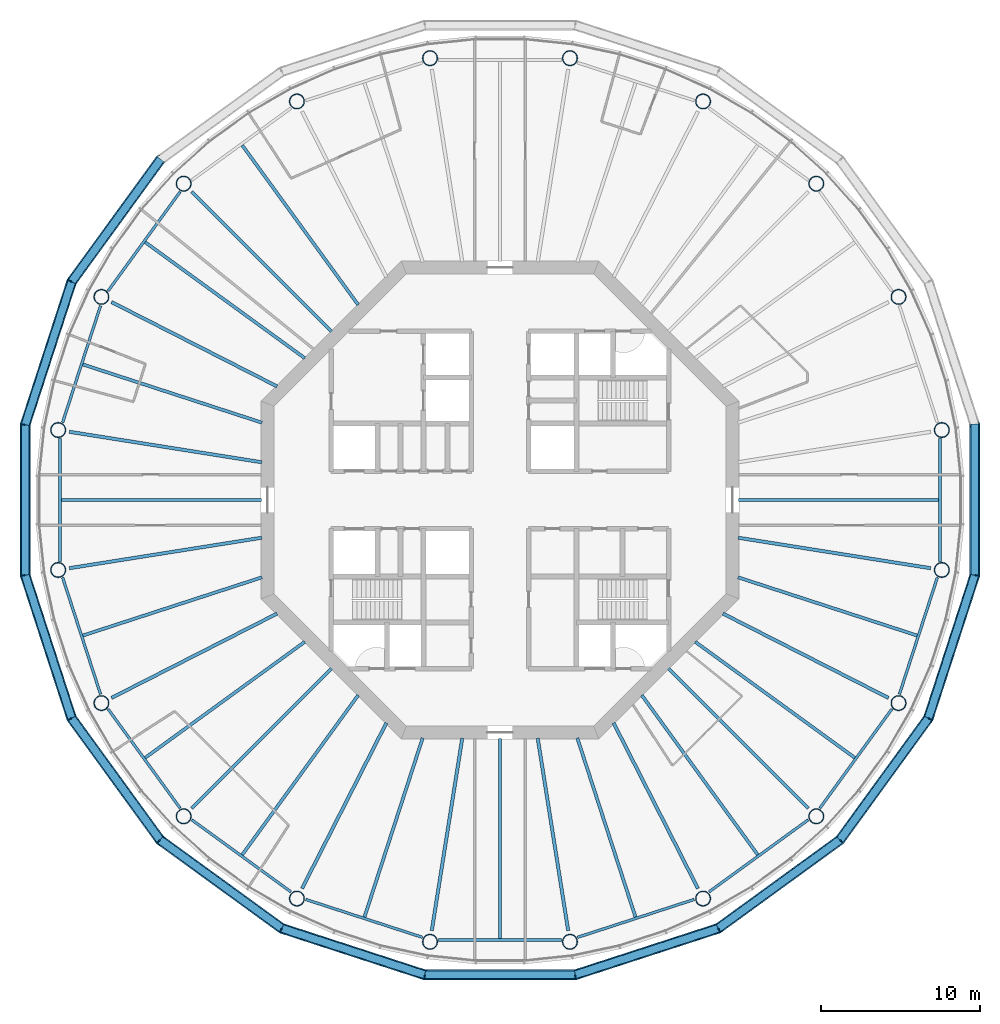
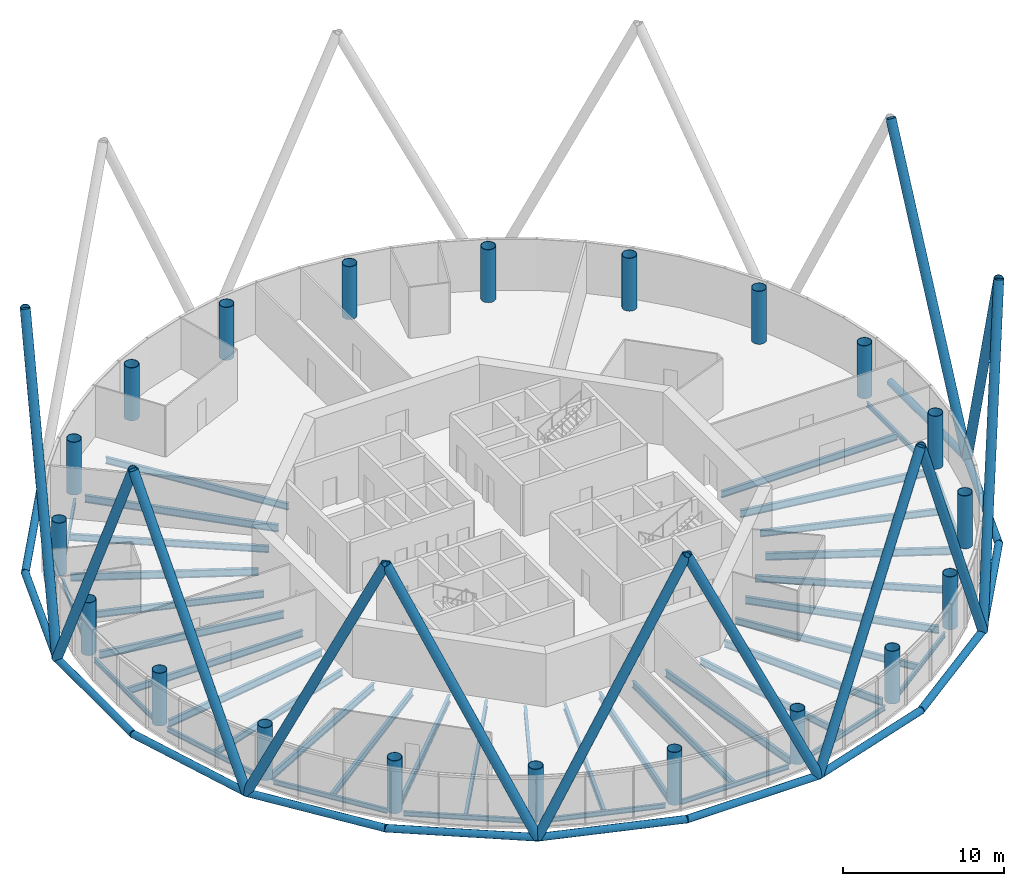
# One storey, part 1 of 13: 40 beams, 26 members, 20 columns.
"""IFC4 building model written with IfcOpenShell, lengths in metres."""

from ifc_helpers import new_model, si_unit, direction, frame, origin, origin_2d, place, context, subcontext, project, spatial, circle, hollow_circle, i_section, extrude, material, material_profile, profile_set, type_object, element, save


model = new_model("IFC4")

# Units and contexts
model_context = context("Model", 3, precision=1e-05, world=origin(), true_north=direction((0.0, 1.0)))
body_context = subcontext(model_context, "Body", "Model", "MODEL_VIEW")
ifc_project = project(units=[si_unit("LENGTHUNIT", "METRE"), si_unit("AREAUNIT", "SQUARE_METRE"), si_unit("VOLUMEUNIT", "CUBIC_METRE"), si_unit("PLANEANGLEUNIT", "RADIAN"), si_unit("MASSUNIT", "GRAM", prefix="KILO")], contexts=[model_context])

# Site, building, storey
site_placement = place(None, origin())
site = spatial("IfcSite", under=ifc_project, at=site_placement, CompositionType="ELEMENT")
building_placement = place(site_placement, origin())
building = spatial("IfcBuilding", under=site, at=building_placement, Name="Entoto Ring Tower", CompositionType="ELEMENT")
storey_placement = place(building_placement, frame((0.0, 0.0, 274.0)))
storey = spatial("IfcBuildingStorey", under=building, at=storey_placement, Name="L62", CompositionType="ELEMENT", Elevation=274.0)

# Columns
ifc_material_1 = material(Name="Steel S355", Category="steel")
ifc_material_profile_1 = material_profile(ifc_material_1, hollow_circle(Radius=0.47509765625, WallThickness=0.034912109375, at=origin_2d()), Name="CHS 950 x 35")
ifc_material_2 = material(Name="Concrete C60/75", Category="concrete")
ifc_material_profile_2 = material_profile(ifc_material_2, circle(Radius=0.43994140625, at=origin_2d()), Name="Concrete C60/75 infill")
ifc_profile_set_1 = profile_set([ifc_material_profile_1, ifc_material_profile_2], Name="Steel S355")
column_type = type_object("IfcColumnType", Name="Ring column 950 x 35 concrete-filled tube", PredefinedType="COLUMN", material=ifc_profile_set_1)
for number, where, z_axis, x_axis, name in (
    (1, (117.754150390625, 84.395751953125, 0.0), (0.0, 0.0, 1.0), (1.0, 0.0, 0.0), "RC5 R01"),
    (2, (115.037353515625, 92.757080078125, 0.0), (0.0, 0.0, 1.0), (1.0, 0.0, 0.0), "RC5 R02"),
    (3, (109.86962890625, 99.86962890625, 0.0), (0.0, 0.0, 1.0), (1.0, 0.0, 0.0), "RC5 R03"),
    (4, (102.757080078125, 105.037353515625, 0.0), (0.0, 0.0, 1.0), (1.0, 0.0, 0.0), "RC5 R04"),
    (5, (94.395751953125, 107.754150390625, 0.0), (0.0, 0.0, 1.0), (1.0, 0.0, 0.0), "RC5 R05"),
    (6, (85.604248046875, 107.754150390625, 0.0), (0.0, 0.0, 1.0), (1.0, 0.0, 0.0), "RC5 R06"),
    (7, (77.242919921875, 105.037353515625, 0.0), (0.0, 0.0, 1.0), (1.0, 0.0, 0.0), "RC5 R07"),
    (8, (70.13037109375, 99.86962890625, 0.0), (0.0, 0.0, 1.0), (1.0, 0.0, 0.0), "RC5 R08"),
    (9, (64.962646484375, 92.757080078125, 0.0), (0.0, 0.0, 1.0), (1.0, 0.0, 0.0), "RC5 R09"),
    (10, (62.245849609375, 84.395751953125, 0.0), (0.0, 0.0, 1.0), (1.0, 0.0, 0.0), "RC5 R10"),
    (11, (62.245849609375, 75.604248046875, 0.0), (0.0, 0.0, 1.0), (1.0, 0.0, 0.0), "RC5 R11"),
    (12, (64.962646484375, 67.242919921875, 0.0), (0.0, 0.0, 1.0), (1.0, 0.0, 0.0), "RC5 R12"),
    (13, (70.13037109375, 60.13037109375, 0.0), (0.0, 0.0, 1.0), (1.0, 0.0, 0.0), "RC5 R13"),
    (14, (77.242919921875, 54.962646484375, 0.0), (0.0, 0.0, 1.0), (1.0, 0.0, 0.0), "RC5 R14"),
    (15, (85.604248046875, 52.245849609375, 0.0), (0.0, 0.0, 1.0), (1.0, 0.0, 0.0), "RC5 R15"),
    (16, (94.395751953125, 52.245849609375, 0.0), (0.0, 0.0, 1.0), (1.0, 0.0, 0.0), "RC5 R16"),
    (17, (102.757080078125, 54.962646484375, 0.0), (0.0, 0.0, 1.0), (1.0, 0.0, 0.0), "RC5 R17"),
    (18, (109.86962890625, 60.13037109375, 0.0), (0.0, 0.0, 1.0), (1.0, 0.0, 0.0), "RC5 R18"),
    (19, (115.037353515625, 67.242919921875, 0.0), (0.0, 0.0, 1.0), (1.0, 0.0, 0.0), "RC5 R19"),
    (20, (117.754150390625, 75.604248046875, 0.0), (0.0, 0.0, 1.0), (1.0, 0.0, 0.0), "RC5 R20"),
):
    element("IfcColumn", number, at=place(storey_placement, frame(where, z_axis=z_axis, x_axis=x_axis)), inside=storey, type_object=column_type, Name=name, PredefinedType="COLUMN", context=body_context, shape_type="SweptSolid", body=[
        extrude(hollow_circle(Radius=0.47509765625, WallThickness=0.034912109375, at=origin_2d()), origin(), (0.0, 0.0, 1.0), 4.0),
    ])

# Members
ifc_material_3 = material(Name="Steel S355", Category="steel")
ifc_material_profile_3 = material_profile(ifc_material_3, hollow_circle(Radius=0.324951171875, WallThickness=0.031982421875, at=origin_2d()), Name="CHS 650 x 32")
ifc_material_4 = material(Name="Concrete C60/75", Category="concrete")
ifc_material_profile_4 = material_profile(ifc_material_4, circle(Radius=0.29296875, at=origin_2d()), Name="Concrete C60/75 infill")
ifc_profile_set_2 = profile_set([ifc_material_profile_3, ifc_material_profile_4], Name="Steel S355")
member_type_1 = type_object("IfcMemberType", Name="Diagrid diagonal 650 x 32 concrete-filled tube", PredefinedType="BRACE", material=ifc_profile_set_2)
for number, where, z_axis, x_axis, name in (
    (21, (68.645263671875, 101.354736328125, 0.0), (-0.2510759177, -0.345588098254, 0.904173517582), (0.809026493198, -0.587772178061, 0.0), "DG6 module 22 08"),
    (22, (60.171875, 84.724365234375, 0.0), (0.131995385813, 0.406250870943, 0.904177774545), (-0.951058940693, 0.309009532745, 0.0), "DG6 module 22 09"),
    (23, (60.171875, 84.724365234375, 0.0), (0.0, -0.427164734279, 0.904173816137), (1.0, 0.0, 0.0), "DG6 module 22 10"),
    (24, (63.091552734375, 66.28955078125, 0.0), (-0.131995385813, 0.406250870943, 0.904177774545), (-0.951058940693, -0.309009532745, 0.0), "DG6 module 22 11"),
    (25, (63.091552734375, 66.28955078125, 0.0), (0.2510759177, -0.345588098254, 0.904173517582), (0.809026493198, 0.587772178061, 0.0), "DG6 module 22 12"),
    (26, (76.28955078125, 53.091552734375, 0.0), (-0.345588098254, 0.2510759177, 0.904173517582), (-0.587772178061, -0.809026493198, 0.0), "DG6 module 22 13"),
    (27, (76.28955078125, 53.091552734375, 0.0), (0.406250870943, -0.131995385813, 0.904177774545), (0.309009532745, 0.951058940693, 0.0), "DG6 module 22 14"),
    (28, (94.724365234375, 50.171875, 0.0), (-0.427164734279, 0.0, 0.904173816137), (0.0, -1.0, 0.0), "DG6 module 22 15"),
    (29, (94.724365234375, 50.171875, 0.0), (0.406250870943, 0.131995385813, 0.904177774545), (-0.309009532745, 0.951058940693, 0.0), "DG6 module 22 16"),
    (30, (111.354736328125, 58.645263671875, 0.0), (-0.345588098254, -0.2510759177, 0.904173517582), (0.587772178061, -0.809026493198, 0.0), "DG6 module 22 17"),
    (31, (111.354736328125, 58.645263671875, 0.0), (0.2510759177, 0.345588098254, 0.904173517582), (-0.809026493198, 0.587772178061, 0.0), "DG6 module 22 18"),
    (32, (119.828125, 75.275634765625, 0.0), (-0.131995385813, -0.406250870943, 0.904177774545), (0.951058940693, -0.309009532745, 0.0), "DG6 module 22 19"),
    (33, (119.828125, 75.275634765625, 0.0), (0.0, 0.427164734279, 0.904173816137), (-1.0, 0.0, 0.0), "DG6 module 22 20"),
):
    element("IfcMember", number, at=place(storey_placement, frame(where, z_axis=z_axis, x_axis=x_axis)), inside=storey, type_object=member_type_1, Name=name, PredefinedType="BRACE", context=body_context, shape_type="SweptSolid", body=[
        extrude(hollow_circle(Radius=0.324951171875, WallThickness=0.031982421875, at=origin_2d()), origin(), (0.0, 0.0, 1.0), 22.11962890625),
    ])
ifc_material_5 = material(Name="Steel S355", Category="steel")
ifc_material_profile_5 = material_profile(ifc_material_5, hollow_circle(Radius=0.25390625, WallThickness=0.030029296875, at=origin_2d()), Name="CHS 508 x 30")
ifc_material_6 = material(Name="Concrete C60/75", Category="concrete")
ifc_material_profile_6 = material_profile(ifc_material_6, circle(Radius=0.22412109375, at=origin_2d()), Name="Concrete C60/75 infill")
ifc_profile_set_3 = profile_set([ifc_material_profile_5, ifc_material_profile_6], Name="Steel S355")
member_type_2 = type_object("IfcMemberType", Name="Diagrid ring beam 508 x 30", PredefinedType="CHORD", material=ifc_profile_set_3)
for number, where, z_axis, x_axis, name in (
    (34, (68.6806640625, 101.4033203125, 0.0), (-0.587786303985, -0.809016230274, 0.0), (0.809016230274, -0.587786303985, 0.0), "DR2 ring 21 07"),
    (35, (63.110107421875, 93.767822265625, 0.0), (-0.308993189852, -0.951064250524, 0.0), (0.951064250524, -0.308993189852, 0.0), "DR2 ring 21 08"),
):
    element("IfcMember", number, at=place(storey_placement, frame(where, z_axis=z_axis, x_axis=x_axis)), inside=storey, type_object=member_type_2, Name=name, PredefinedType="CHORD", context=body_context, shape_type="SweptSolid", body=[
        extrude(hollow_circle(Radius=0.25390625, WallThickness=0.030029296875, at=origin_2d()), origin(), (0.0, 0.0, 1.0), 9.569091796875),
    ])
member_1_placement = place(storey_placement, frame((60.171875, 84.78466796875, 0.0), z_axis=(0.0, -1.0, 0.0), x_axis=(1.0, 0.0, 0.0)))
element("IfcMember", 36, at=member_1_placement, inside=storey, type_object=member_type_2, Name="DR2 ring 21 09", PredefinedType="CHORD", context=body_context, shape_type="SweptSolid", body=[
    extrude(hollow_circle(Radius=0.25390625, WallThickness=0.030029296875, at=origin_2d()), origin(), (0.0, 0.0, 1.0), 9.5693359375),
])
for number, where, z_axis, x_axis, name in (
    (37, (60.1533203125, 75.3330078125, 0.0), (0.308993189852, -0.951064250524, 0.0), (0.951064250524, 0.308993189852, 0.0), "DR2 ring 21 10"),
    (38, (63.05615234375, 66.338134765625, 0.0), (0.587786303985, -0.809016230274, 0.0), (0.809016230274, 0.587786303985, 0.0), "DR2 ring 21 11"),
    (39, (68.5966796875, 58.6806640625, 0.0), (0.809016230274, -0.587786303985, 0.0), (0.587786303985, 0.809016230274, 0.0), "DR2 ring 21 12"),
    (40, (76.232177734375, 53.110107421875, 0.0), (0.951064250524, -0.308993189852, 0.0), (0.308993189852, 0.951064250524, 0.0), "DR2 ring 21 13"),
):
    element("IfcMember", number, at=place(storey_placement, frame(where, z_axis=z_axis, x_axis=x_axis)), inside=storey, type_object=member_type_2, Name=name, PredefinedType="CHORD", context=body_context, shape_type="SweptSolid", body=[
        extrude(hollow_circle(Radius=0.25390625, WallThickness=0.030029296875, at=origin_2d()), origin(), (0.0, 0.0, 1.0), 9.569091796875),
    ])
member_2_placement = place(storey_placement, frame((85.21533203125, 50.171875, 0.0), z_axis=(1.0, 0.0, 0.0), x_axis=(0.0, 1.0, 0.0)))
element("IfcMember", 41, at=member_2_placement, inside=storey, type_object=member_type_2, Name="DR2 ring 21 14", PredefinedType="CHORD", context=body_context, shape_type="SweptSolid", body=[
    extrude(hollow_circle(Radius=0.25390625, WallThickness=0.030029296875, at=origin_2d()), origin(), (0.0, 0.0, 1.0), 9.5693359375),
])
for number, where, z_axis, x_axis, name in (
    (42, (94.6669921875, 50.1533203125, 0.0), (0.951064250524, 0.308993189852, 0.0), (-0.308993189852, 0.951064250524, 0.0), "DR2 ring 21 15"),
    (43, (103.661865234375, 53.05615234375, 0.0), (0.809016230274, 0.587786303985, 0.0), (-0.587786303985, 0.809016230274, 0.0), "DR2 ring 21 16"),
    (44, (111.3193359375, 58.5966796875, 0.0), (0.587786303985, 0.809016230274, 0.0), (-0.809016230274, 0.587786303985, 0.0), "DR2 ring 21 17"),
    (45, (116.889892578125, 66.232177734375, 0.0), (0.308993189852, 0.951064250524, 0.0), (-0.951064250524, 0.308993189852, 0.0), "DR2 ring 21 18"),
):
    element("IfcMember", number, at=place(storey_placement, frame(where, z_axis=z_axis, x_axis=x_axis)), inside=storey, type_object=member_type_2, Name=name, PredefinedType="CHORD", context=body_context, shape_type="SweptSolid", body=[
        extrude(hollow_circle(Radius=0.25390625, WallThickness=0.030029296875, at=origin_2d()), origin(), (0.0, 0.0, 1.0), 9.569091796875),
    ])
member_3_placement = place(storey_placement, frame((119.828125, 75.21533203125, 0.0), z_axis=(0.0, 1.0, 0.0), x_axis=(-1.0, 0.0, 0.0)))
element("IfcMember", 46, at=member_3_placement, inside=storey, type_object=member_type_2, Name="DR2 ring 21 19", PredefinedType="CHORD", context=body_context, shape_type="SweptSolid", body=[
    extrude(hollow_circle(Radius=0.25390625, WallThickness=0.030029296875, at=origin_2d()), origin(), (0.0, 0.0, 1.0), 9.5693359375),
])

# Beams
ifc_material_7 = material(Name="Steel S355", Category="steel")
ifc_material_profile_7 = material_profile(ifc_material_7, i_section(OverallWidth=0.169921875, OverallDepth=0.360107421875, WebThickness=0.008056640625, FlangeThickness=0.0126953125, FilletRadius=0.01806640625, at=origin_2d()), Name="IPE 360")
ifc_profile_set_4 = profile_set([ifc_material_profile_7], Name="Steel S355")
beam_type_1 = type_object("IfcBeamType", Name="Edge beam IPE 360", PredefinedType="SPANDREL", material=ifc_profile_set_4)
beam_1_placement = place(storey_placement, frame((69.908203125, 99.36083984375, -0.330078125), z_axis=(-0.587781735432, -0.809019549512, 0.0), x_axis=(0.809019549512, -0.587781735432, 0.0)))
element("IfcBeam", 47, at=beam_1_placement, inside=storey, type_object=beam_type_1, Name="Edge beam L62 08", PredefinedType="SPANDREL", context=body_context, shape_type="SweptSolid", body=[
    extrude(i_section(OverallWidth=0.169921875, OverallDepth=0.360107421875, WebThickness=0.008056640625, FlangeThickness=0.0126953125, FilletRadius=0.01806640625, at=origin_2d()), origin(), (0.0, 0.0, 1.0), 7.70703125),
])
beam_2_placement = place(storey_placement, frame((64.90869140625, 92.204345703125, -0.330078125), z_axis=(-0.309024469492, -0.95105408745, 0.0), x_axis=(0.95105408745, -0.309024469492, 0.0)))
element("IfcBeam", 48, at=beam_2_placement, inside=storey, type_object=beam_type_1, Name="Edge beam L62 09", PredefinedType="SPANDREL", context=body_context, shape_type="SweptSolid", body=[
    extrude(i_section(OverallWidth=0.169921875, OverallDepth=0.360107421875, WebThickness=0.008056640625, FlangeThickness=0.0126953125, FilletRadius=0.01806640625, at=origin_2d()), origin(), (0.0, 0.0, 1.0), 7.706787109375),
])
beam_3_placement = place(storey_placement, frame((62.365478515625, 83.853515625, -0.330078125), z_axis=(0.0, -1.0, 0.0), x_axis=(1.0, 0.0, 0.0)))
element("IfcBeam", 49, at=beam_3_placement, inside=storey, type_object=beam_type_1, Name="Edge beam L62 10", PredefinedType="SPANDREL", context=body_context, shape_type="SweptSolid", body=[
    extrude(i_section(OverallWidth=0.169921875, OverallDepth=0.360107421875, WebThickness=0.008056640625, FlangeThickness=0.0126953125, FilletRadius=0.01806640625, at=origin_2d()), origin(), (0.0, 0.0, 1.0), 7.70703125),
])
beam_4_placement = place(storey_placement, frame((62.527099609375, 75.125244140625, -0.330078125), z_axis=(0.309024469492, -0.95105408745, 0.0), x_axis=(0.95105408745, 0.309024469492, 0.0)))
element("IfcBeam", 50, at=beam_4_placement, inside=storey, type_object=beam_type_1, Name="Edge beam L62 11", PredefinedType="SPANDREL", context=body_context, shape_type="SweptSolid", body=[
    extrude(i_section(OverallWidth=0.169921875, OverallDepth=0.360107421875, WebThickness=0.008056640625, FlangeThickness=0.0126953125, FilletRadius=0.01806640625, at=origin_2d()), origin(), (0.0, 0.0, 1.0), 7.706787109375),
])
for number, where, z_axis, x_axis, name in (
    (51, (65.378173828125, 66.874267578125, -0.330078125), (0.587781735432, -0.809019549512, 0.0), (0.809019549512, 0.587781735432, 0.0), "Edge beam L62 12"),
    (52, (70.63916015625, 59.908203125, -0.330078125), (0.809019549512, -0.587781735432, 0.0), (0.587781735432, 0.809019549512, 0.0), "Edge beam L62 13"),
):
    element("IfcBeam", number, at=place(storey_placement, frame(where, z_axis=z_axis, x_axis=x_axis)), inside=storey, type_object=beam_type_1, Name=name, PredefinedType="SPANDREL", context=body_context, shape_type="SweptSolid", body=[
        extrude(i_section(OverallWidth=0.169921875, OverallDepth=0.360107421875, WebThickness=0.008056640625, FlangeThickness=0.0126953125, FilletRadius=0.01806640625, at=origin_2d()), origin(), (0.0, 0.0, 1.0), 7.70703125),
    ])
beam_5_placement = place(storey_placement, frame((77.795654296875, 54.90869140625, -0.330078125), z_axis=(0.95105408745, -0.309024469492, 0.0), x_axis=(0.309024469492, 0.95105408745, 0.0)))
element("IfcBeam", 53, at=beam_5_placement, inside=storey, type_object=beam_type_1, Name="Edge beam L62 14", PredefinedType="SPANDREL", context=body_context, shape_type="SweptSolid", body=[
    extrude(i_section(OverallWidth=0.169921875, OverallDepth=0.360107421875, WebThickness=0.008056640625, FlangeThickness=0.0126953125, FilletRadius=0.01806640625, at=origin_2d()), origin(), (0.0, 0.0, 1.0), 7.706787109375),
])
beam_6_placement = place(storey_placement, frame((86.146484375, 52.365478515625, -0.330078125), z_axis=(1.0, 0.0, 0.0), x_axis=(0.0, 1.0, 0.0)))
element("IfcBeam", 54, at=beam_6_placement, inside=storey, type_object=beam_type_1, Name="Edge beam L62 15", PredefinedType="SPANDREL", context=body_context, shape_type="SweptSolid", body=[
    extrude(i_section(OverallWidth=0.169921875, OverallDepth=0.360107421875, WebThickness=0.008056640625, FlangeThickness=0.0126953125, FilletRadius=0.01806640625, at=origin_2d()), origin(), (0.0, 0.0, 1.0), 7.70703125),
])
beam_7_placement = place(storey_placement, frame((94.874755859375, 52.527099609375, -0.330078125), z_axis=(0.95105408745, 0.309024469492, 0.0), x_axis=(-0.309024469492, 0.95105408745, 0.0)))
element("IfcBeam", 55, at=beam_7_placement, inside=storey, type_object=beam_type_1, Name="Edge beam L62 16", PredefinedType="SPANDREL", context=body_context, shape_type="SweptSolid", body=[
    extrude(i_section(OverallWidth=0.169921875, OverallDepth=0.360107421875, WebThickness=0.008056640625, FlangeThickness=0.0126953125, FilletRadius=0.01806640625, at=origin_2d()), origin(), (0.0, 0.0, 1.0), 7.706787109375),
])
for number, where, z_axis, x_axis, name in (
    (56, (103.125732421875, 55.378173828125, -0.330078125), (0.809019549512, 0.587781735432, 0.0), (-0.587781735432, 0.809019549512, 0.0), "Edge beam L62 17"),
    (57, (110.091796875, 60.63916015625, -0.330078125), (0.587781735432, 0.809019549512, 0.0), (-0.809019549512, 0.587781735432, 0.0), "Edge beam L62 18"),
):
    element("IfcBeam", number, at=place(storey_placement, frame(where, z_axis=z_axis, x_axis=x_axis)), inside=storey, type_object=beam_type_1, Name=name, PredefinedType="SPANDREL", context=body_context, shape_type="SweptSolid", body=[
        extrude(i_section(OverallWidth=0.169921875, OverallDepth=0.360107421875, WebThickness=0.008056640625, FlangeThickness=0.0126953125, FilletRadius=0.01806640625, at=origin_2d()), origin(), (0.0, 0.0, 1.0), 7.70703125),
    ])
beam_8_placement = place(storey_placement, frame((115.09130859375, 67.795654296875, -0.330078125), z_axis=(0.309024469492, 0.95105408745, 0.0), x_axis=(-0.95105408745, 0.309024469492, 0.0)))
element("IfcBeam", 58, at=beam_8_placement, inside=storey, type_object=beam_type_1, Name="Edge beam L62 19", PredefinedType="SPANDREL", context=body_context, shape_type="SweptSolid", body=[
    extrude(i_section(OverallWidth=0.169921875, OverallDepth=0.360107421875, WebThickness=0.008056640625, FlangeThickness=0.0126953125, FilletRadius=0.01806640625, at=origin_2d()), origin(), (0.0, 0.0, 1.0), 7.706787109375),
])
beam_9_placement = place(storey_placement, frame((117.634521484375, 76.146484375, -0.330078125), z_axis=(0.0, 1.0, 0.0), x_axis=(-1.0, 0.0, 0.0)))
element("IfcBeam", 59, at=beam_9_placement, inside=storey, type_object=beam_type_1, Name="Edge beam L62 20", PredefinedType="SPANDREL", context=body_context, shape_type="SweptSolid", body=[
    extrude(i_section(OverallWidth=0.169921875, OverallDepth=0.360107421875, WebThickness=0.008056640625, FlangeThickness=0.0126953125, FilletRadius=0.01806640625, at=origin_2d()), origin(), (0.0, 0.0, 1.0), 7.70703125),
])
ifc_material_8 = material(Name="Steel S355", Category="steel")
ifc_material_profile_8 = material_profile(ifc_material_8, i_section(OverallWidth=0.2099609375, OverallDepth=0.550048828125, WebThickness=0.010986328125, FlangeThickness=0.01708984375, FilletRadius=0.02392578125, at=origin_2d()), Name="IPE 550")
ifc_profile_set_5 = profile_set([ifc_material_profile_8], Name="Steel S355")
beam_type_2 = type_object("IfcBeamType", Name="Primary floor beam IPE 550", PredefinedType="BEAM", material=ifc_profile_set_5)
beam_10_placement = place(storey_placement, frame((79.407470703125, 90.592529296875, -0.425048828125), z_axis=(-0.707106781187, 0.707106781187, 0.0), x_axis=(-0.707106781187, -0.707106781187, 0.0)))
element("IfcBeam", 60, at=beam_10_placement, inside=storey, type_object=beam_type_2, Name="Primary L62 R08", PredefinedType="BEAM", context=body_context, shape_type="SweptSolid", body=[
    extrude(i_section(OverallWidth=0.2099609375, OverallDepth=0.550048828125, WebThickness=0.010986328125, FlangeThickness=0.01708984375, FilletRadius=0.02392578125, at=origin_2d()), origin(), (0.0, 0.0, 1.0), 12.4091796875),
])
beam_11_placement = place(storey_placement, frame((75.995361328125, 87.1357421875, -0.425048828125), z_axis=(-0.89100852552, 0.453986571883, 0.0), x_axis=(-0.453986571883, -0.89100852552, 0.0)))
element("IfcBeam", 61, at=beam_11_placement, inside=storey, type_object=beam_type_2, Name="Primary L62 R09", PredefinedType="BEAM", context=body_context, shape_type="SweptSolid", body=[
    extrude(i_section(OverallWidth=0.2099609375, OverallDepth=0.550048828125, WebThickness=0.010986328125, FlangeThickness=0.01708984375, FilletRadius=0.02392578125, at=origin_2d()), origin(), (0.0, 0.0, 1.0), 11.671142578125),
])
for number, where, z_axis, x_axis, name in (
    (62, (75.0361328125, 82.3701171875, -0.425048828125), (-0.987688614269, 0.156432737122, 0.0), (-0.156432737122, -0.987688614269, 0.0), "Primary L62 R10"),
    (63, (75.0361328125, 77.6298828125, -0.425048828125), (-0.987688614269, -0.156432737122, 0.0), (0.156432737122, -0.987688614269, 0.0), "Primary L62 R11"),
):
    element("IfcBeam", number, at=place(storey_placement, frame(where, z_axis=z_axis, x_axis=x_axis)), inside=storey, type_object=beam_type_2, Name=name, PredefinedType="BEAM", context=body_context, shape_type="SweptSolid", body=[
        extrude(i_section(OverallWidth=0.2099609375, OverallDepth=0.550048828125, WebThickness=0.010986328125, FlangeThickness=0.01708984375, FilletRadius=0.02392578125, at=origin_2d()), origin(), (0.0, 0.0, 1.0), 12.23876953125),
    ])
beam_12_placement = place(storey_placement, frame((75.995361328125, 72.8642578125, -0.425048828125), z_axis=(-0.89100852552, -0.453986571883, 0.0), x_axis=(0.453986571883, -0.89100852552, 0.0)))
element("IfcBeam", 64, at=beam_12_placement, inside=storey, type_object=beam_type_2, Name="Primary L62 R12", PredefinedType="BEAM", context=body_context, shape_type="SweptSolid", body=[
    extrude(i_section(OverallWidth=0.2099609375, OverallDepth=0.550048828125, WebThickness=0.010986328125, FlangeThickness=0.01708984375, FilletRadius=0.02392578125, at=origin_2d()), origin(), (0.0, 0.0, 1.0), 11.671142578125),
])
beam_13_placement = place(storey_placement, frame((79.407470703125, 69.407470703125, -0.425048828125), z_axis=(-0.707106781187, -0.707106781187, 0.0), x_axis=(0.707106781187, -0.707106781187, 0.0)))
element("IfcBeam", 65, at=beam_13_placement, inside=storey, type_object=beam_type_2, Name="Primary L62 R13", PredefinedType="BEAM", context=body_context, shape_type="SweptSolid", body=[
    extrude(i_section(OverallWidth=0.2099609375, OverallDepth=0.550048828125, WebThickness=0.010986328125, FlangeThickness=0.01708984375, FilletRadius=0.02392578125, at=origin_2d()), origin(), (0.0, 0.0, 1.0), 12.4091796875),
])
beam_14_placement = place(storey_placement, frame((82.8642578125, 65.995361328125, -0.425048828125), z_axis=(-0.453986571883, -0.89100852552, 0.0), x_axis=(0.89100852552, -0.453986571883, 0.0)))
element("IfcBeam", 66, at=beam_14_placement, inside=storey, type_object=beam_type_2, Name="Primary L62 R14", PredefinedType="BEAM", context=body_context, shape_type="SweptSolid", body=[
    extrude(i_section(OverallWidth=0.2099609375, OverallDepth=0.550048828125, WebThickness=0.010986328125, FlangeThickness=0.01708984375, FilletRadius=0.02392578125, at=origin_2d()), origin(), (0.0, 0.0, 1.0), 11.671142578125),
])
for number, where, z_axis, x_axis, name in (
    (67, (87.6298828125, 65.0361328125, -0.425048828125), (-0.156432737122, -0.987688614269, 0.0), (0.987688614269, -0.156432737122, 0.0), "Primary L62 R15"),
    (68, (92.3701171875, 65.0361328125, -0.425048828125), (0.156432737122, -0.987688614269, 0.0), (0.987688614269, 0.156432737122, 0.0), "Primary L62 R16"),
):
    element("IfcBeam", number, at=place(storey_placement, frame(where, z_axis=z_axis, x_axis=x_axis)), inside=storey, type_object=beam_type_2, Name=name, PredefinedType="BEAM", context=body_context, shape_type="SweptSolid", body=[
        extrude(i_section(OverallWidth=0.2099609375, OverallDepth=0.550048828125, WebThickness=0.010986328125, FlangeThickness=0.01708984375, FilletRadius=0.02392578125, at=origin_2d()), origin(), (0.0, 0.0, 1.0), 12.23876953125),
    ])
beam_15_placement = place(storey_placement, frame((97.1357421875, 65.995361328125, -0.425048828125), z_axis=(0.453986571883, -0.89100852552, 0.0), x_axis=(0.89100852552, 0.453986571883, 0.0)))
element("IfcBeam", 69, at=beam_15_placement, inside=storey, type_object=beam_type_2, Name="Primary L62 R17", PredefinedType="BEAM", context=body_context, shape_type="SweptSolid", body=[
    extrude(i_section(OverallWidth=0.2099609375, OverallDepth=0.550048828125, WebThickness=0.010986328125, FlangeThickness=0.01708984375, FilletRadius=0.02392578125, at=origin_2d()), origin(), (0.0, 0.0, 1.0), 11.671142578125),
])
beam_16_placement = place(storey_placement, frame((100.592529296875, 69.407470703125, -0.425048828125), z_axis=(0.707106781187, -0.707106781187, 0.0), x_axis=(0.707106781187, 0.707106781187, 0.0)))
element("IfcBeam", 70, at=beam_16_placement, inside=storey, type_object=beam_type_2, Name="Primary L62 R18", PredefinedType="BEAM", context=body_context, shape_type="SweptSolid", body=[
    extrude(i_section(OverallWidth=0.2099609375, OverallDepth=0.550048828125, WebThickness=0.010986328125, FlangeThickness=0.01708984375, FilletRadius=0.02392578125, at=origin_2d()), origin(), (0.0, 0.0, 1.0), 12.4091796875),
])
beam_17_placement = place(storey_placement, frame((104.004638671875, 72.8642578125, -0.425048828125), z_axis=(0.89100852552, -0.453986571883, 0.0), x_axis=(0.453986571883, 0.89100852552, 0.0)))
element("IfcBeam", 71, at=beam_17_placement, inside=storey, type_object=beam_type_2, Name="Primary L62 R19", PredefinedType="BEAM", context=body_context, shape_type="SweptSolid", body=[
    extrude(i_section(OverallWidth=0.2099609375, OverallDepth=0.550048828125, WebThickness=0.010986328125, FlangeThickness=0.01708984375, FilletRadius=0.02392578125, at=origin_2d()), origin(), (0.0, 0.0, 1.0), 11.671142578125),
])
beam_18_placement = place(storey_placement, frame((104.9638671875, 77.6298828125, -0.425048828125), z_axis=(0.987688614269, -0.156432737122, 0.0), x_axis=(0.156432737122, 0.987688614269, 0.0)))
element("IfcBeam", 72, at=beam_18_placement, inside=storey, type_object=beam_type_2, Name="Primary L62 R20", PredefinedType="BEAM", context=body_context, shape_type="SweptSolid", body=[
    extrude(i_section(OverallWidth=0.2099609375, OverallDepth=0.550048828125, WebThickness=0.010986328125, FlangeThickness=0.01708984375, FilletRadius=0.02392578125, at=origin_2d()), origin(), (0.0, 0.0, 1.0), 12.23876953125),
])
ifc_material_9 = material(Name="Steel S355", Category="steel")
ifc_material_profile_9 = material_profile(ifc_material_9, i_section(OverallWidth=0.199951171875, OverallDepth=0.5, WebThickness=0.01025390625, FlangeThickness=0.01611328125, FilletRadius=0.02099609375, at=origin_2d()), Name="IPE 500")
ifc_profile_set_6 = profile_set([ifc_material_profile_9], Name="Steel S355")
beam_type_3 = type_object("IfcBeamType", Name="Secondary floor beam IPE 500", PredefinedType="JOIST", material=ifc_profile_set_6)
for number, where, z_axis, x_axis, name in (
    (73, (81.094482421875, 92.257568359375, -0.39990234375), (-0.587785255346, 0.809016992157, 0.0), (-0.809016992157, -0.587785255346, 0.0), "Secondary beam L62 07"),
    (74, (77.742431640625, 88.905517578125, -0.39990234375), (-0.809016992157, 0.587785255346, 0.0), (-0.587785255346, -0.809016992157, 0.0), "Secondary beam L62 08"),
):
    element("IfcBeam", number, at=place(storey_placement, frame(where, z_axis=z_axis, x_axis=x_axis)), inside=storey, type_object=beam_type_3, Name=name, PredefinedType="JOIST", context=body_context, shape_type="SweptSolid", body=[
        extrude(i_section(OverallWidth=0.199951171875, OverallDepth=0.5, WebThickness=0.01025390625, FlangeThickness=0.01611328125, FilletRadius=0.02099609375, at=origin_2d()), origin(), (0.0, 0.0, 1.0), 12.3984375),
    ])
beam_19_placement = place(storey_placement, frame((75.0498046875, 84.857666015625, -0.39990234375), z_axis=(-0.951060151001, 0.309005807676, 0.0), x_axis=(-0.309005807676, -0.951060151001, 0.0)))
element("IfcBeam", 75, at=beam_19_placement, inside=storey, type_object=beam_type_3, Name="Secondary beam L62 09", PredefinedType="JOIST", context=body_context, shape_type="SweptSolid", body=[
    extrude(i_section(OverallWidth=0.199951171875, OverallDepth=0.5, WebThickness=0.01025390625, FlangeThickness=0.01611328125, FilletRadius=0.02099609375, at=origin_2d()), origin(), (0.0, 0.0, 1.0), 11.829833984375),
])
beam_20_placement = place(storey_placement, frame((75.02001953125, 80.0, -0.39990234375), z_axis=(-1.0, 0.0, 0.0), x_axis=(0.0, -1.0, 0.0)))
element("IfcBeam", 76, at=beam_20_placement, inside=storey, type_object=beam_type_3, Name="Secondary beam L62 10", PredefinedType="JOIST", context=body_context, shape_type="SweptSolid", body=[
    extrude(i_section(OverallWidth=0.199951171875, OverallDepth=0.5, WebThickness=0.01025390625, FlangeThickness=0.01611328125, FilletRadius=0.02099609375, at=origin_2d()), origin(), (0.0, 0.0, 1.0), 12.569580078125),
])
beam_21_placement = place(storey_placement, frame((75.0498046875, 75.142333984375, -0.39990234375), z_axis=(-0.951060151001, -0.309005807676, 0.0), x_axis=(0.309005807676, -0.951060151001, 0.0)))
element("IfcBeam", 77, at=beam_21_placement, inside=storey, type_object=beam_type_3, Name="Secondary beam L62 11", PredefinedType="JOIST", context=body_context, shape_type="SweptSolid", body=[
    extrude(i_section(OverallWidth=0.199951171875, OverallDepth=0.5, WebThickness=0.01025390625, FlangeThickness=0.01611328125, FilletRadius=0.02099609375, at=origin_2d()), origin(), (0.0, 0.0, 1.0), 11.829833984375),
])
for number, where, z_axis, x_axis, name in (
    (78, (77.742431640625, 71.094482421875, -0.39990234375), (-0.809016992157, -0.587785255346, 0.0), (0.587785255346, -0.809016992157, 0.0), "Secondary beam L62 12"),
    (79, (81.094482421875, 67.742431640625, -0.39990234375), (-0.587785255346, -0.809016992157, 0.0), (0.809016992157, -0.587785255346, 0.0), "Secondary beam L62 13"),
):
    element("IfcBeam", number, at=place(storey_placement, frame(where, z_axis=z_axis, x_axis=x_axis)), inside=storey, type_object=beam_type_3, Name=name, PredefinedType="JOIST", context=body_context, shape_type="SweptSolid", body=[
        extrude(i_section(OverallWidth=0.199951171875, OverallDepth=0.5, WebThickness=0.01025390625, FlangeThickness=0.01611328125, FilletRadius=0.02099609375, at=origin_2d()), origin(), (0.0, 0.0, 1.0), 12.3984375),
    ])
beam_22_placement = place(storey_placement, frame((85.142333984375, 65.0498046875, -0.39990234375), z_axis=(-0.309005807676, -0.951060151001, 0.0), x_axis=(0.951060151001, -0.309005807676, 0.0)))
element("IfcBeam", 80, at=beam_22_placement, inside=storey, type_object=beam_type_3, Name="Secondary beam L62 14", PredefinedType="JOIST", context=body_context, shape_type="SweptSolid", body=[
    extrude(i_section(OverallWidth=0.199951171875, OverallDepth=0.5, WebThickness=0.01025390625, FlangeThickness=0.01611328125, FilletRadius=0.02099609375, at=origin_2d()), origin(), (0.0, 0.0, 1.0), 11.829833984375),
])
beam_23_placement = place(storey_placement, frame((90.0, 65.02001953125, -0.39990234375), z_axis=(0.0, -1.0, 0.0), x_axis=(1.0, 0.0, 0.0)))
element("IfcBeam", 81, at=beam_23_placement, inside=storey, type_object=beam_type_3, Name="Secondary beam L62 15", PredefinedType="JOIST", context=body_context, shape_type="SweptSolid", body=[
    extrude(i_section(OverallWidth=0.199951171875, OverallDepth=0.5, WebThickness=0.01025390625, FlangeThickness=0.01611328125, FilletRadius=0.02099609375, at=origin_2d()), origin(), (0.0, 0.0, 1.0), 12.569580078125),
])
beam_24_placement = place(storey_placement, frame((94.857666015625, 65.0498046875, -0.39990234375), z_axis=(0.309005807676, -0.951060151001, 0.0), x_axis=(0.951060151001, 0.309005807676, 0.0)))
element("IfcBeam", 82, at=beam_24_placement, inside=storey, type_object=beam_type_3, Name="Secondary beam L62 16", PredefinedType="JOIST", context=body_context, shape_type="SweptSolid", body=[
    extrude(i_section(OverallWidth=0.199951171875, OverallDepth=0.5, WebThickness=0.01025390625, FlangeThickness=0.01611328125, FilletRadius=0.02099609375, at=origin_2d()), origin(), (0.0, 0.0, 1.0), 11.829833984375),
])
for number, where, z_axis, x_axis, name in (
    (83, (98.905517578125, 67.742431640625, -0.39990234375), (0.587785255346, -0.809016992157, 0.0), (0.809016992157, 0.587785255346, 0.0), "Secondary beam L62 17"),
    (84, (102.257568359375, 71.094482421875, -0.39990234375), (0.809016992157, -0.587785255346, 0.0), (0.587785255346, 0.809016992157, 0.0), "Secondary beam L62 18"),
):
    element("IfcBeam", number, at=place(storey_placement, frame(where, z_axis=z_axis, x_axis=x_axis)), inside=storey, type_object=beam_type_3, Name=name, PredefinedType="JOIST", context=body_context, shape_type="SweptSolid", body=[
        extrude(i_section(OverallWidth=0.199951171875, OverallDepth=0.5, WebThickness=0.01025390625, FlangeThickness=0.01611328125, FilletRadius=0.02099609375, at=origin_2d()), origin(), (0.0, 0.0, 1.0), 12.3984375),
    ])
beam_25_placement = place(storey_placement, frame((104.9501953125, 75.142333984375, -0.39990234375), z_axis=(0.951060151001, -0.309005807676, 0.0), x_axis=(0.309005807676, 0.951060151001, 0.0)))
element("IfcBeam", 85, at=beam_25_placement, inside=storey, type_object=beam_type_3, Name="Secondary beam L62 19", PredefinedType="JOIST", context=body_context, shape_type="SweptSolid", body=[
    extrude(i_section(OverallWidth=0.199951171875, OverallDepth=0.5, WebThickness=0.01025390625, FlangeThickness=0.01611328125, FilletRadius=0.02099609375, at=origin_2d()), origin(), (0.0, 0.0, 1.0), 11.829833984375),
])
beam_26_placement = place(storey_placement, frame((104.97998046875, 80.0, -0.39990234375), z_axis=(1.0, 0.0, 0.0), x_axis=(0.0, 1.0, 0.0)))
element("IfcBeam", 86, at=beam_26_placement, inside=storey, type_object=beam_type_3, Name="Secondary beam L62 20", PredefinedType="JOIST", context=body_context, shape_type="SweptSolid", body=[
    extrude(i_section(OverallWidth=0.199951171875, OverallDepth=0.5, WebThickness=0.01025390625, FlangeThickness=0.01611328125, FilletRadius=0.02099609375, at=origin_2d()), origin(), (0.0, 0.0, 1.0), 12.569580078125),
])

save(model, "model.ifc")
